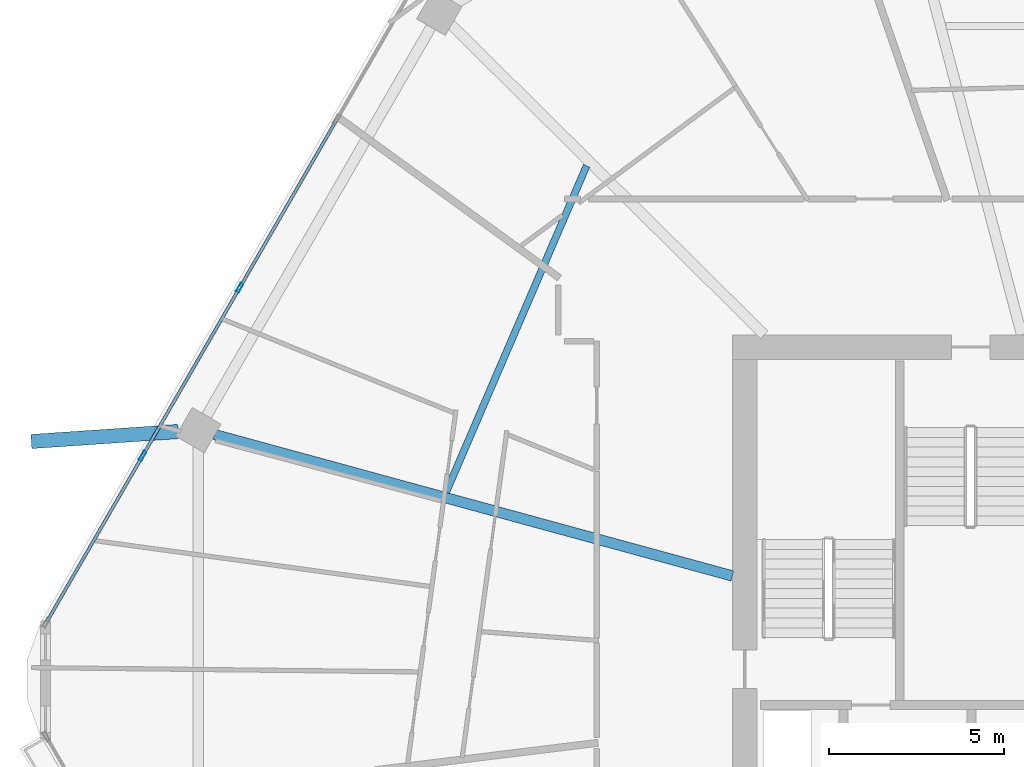
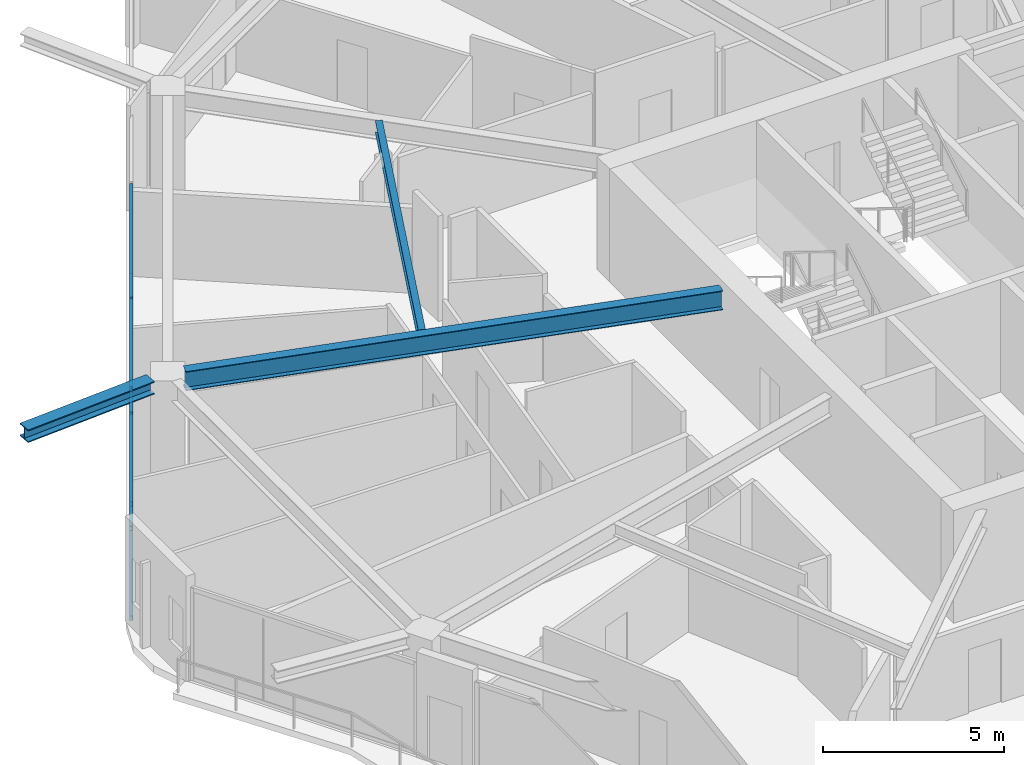
# One storey, part 10 of 26: 8 members, 3 beams, 1 element without a shape of its own.
"""IFC4 building model written with IfcOpenShell, lengths in metres."""

from ifc_helpers import new_model, si_unit, direction, frame, origin, origin_2d, place, context, subcontext, project, spatial, hollow_rectangle, i_section, extrude, material, material_profile, profile_set, type_object, element, aggregate, save


model = new_model("IFC4")

# Units and contexts
model_context = context("Model", 3, precision=1e-05, world=origin(), true_north=direction((0.0, 1.0)))
body_context = subcontext(model_context, "Body", "Model", "MODEL_VIEW")
ifc_project = project(units=[si_unit("LENGTHUNIT", "METRE"), si_unit("AREAUNIT", "SQUARE_METRE"), si_unit("VOLUMEUNIT", "CUBIC_METRE"), si_unit("PLANEANGLEUNIT", "RADIAN"), si_unit("MASSUNIT", "GRAM", prefix="KILO")], contexts=[model_context])

# Site, building, storey
site_placement = place(None, origin())
site = spatial("IfcSite", under=ifc_project, at=site_placement, CompositionType="ELEMENT")
building_placement = place(site_placement, origin())
building = spatial("IfcBuilding", under=site, at=building_placement, Name="Zuhravey Tower", CompositionType="ELEMENT")
storey_placement = place(building_placement, frame((0.0, 0.0, 203.60009765625)))
storey = spatial("IfcBuildingStorey", under=building, at=storey_placement, Name="L51", CompositionType="ELEMENT", Elevation=203.60009765625)

# Curtain wall, members
ifc_material_1 = material(Name="Thermally broken anodised aluminium", Category="aluminium")
curtain_wall_type = type_object("IfcCurtainWallType", Name="Zone 1-2 Residential Curtain Wall CW3", PredefinedType="NOTDEFINED", material=ifc_material_1)
curtain_wall_placement = place(storey_placement, origin())
curtain_wall = element("IfcCurtainWall", 1, at=curtain_wall_placement, inside=storey, type_object=curtain_wall_type, Name="L51 CW3 CW-L51-F3-1", PredefinedType="NOTDEFINED")
ifc_material_2 = material(Name="Anodised aluminium", Category="aluminium")
ifc_material_profile_1 = material_profile(ifc_material_2, hollow_rectangle(XDim=0.090087890625, YDim=0.284912109375, WallThickness=0.0048828125, at=origin_2d()), Name="ALU-RHS-90x285x5")
ifc_profile_set_1 = profile_set([ifc_material_profile_1], Name="Anodised aluminium")
member_type_1 = type_object("IfcMemberType", Name="Curtain-Wall Mullion 90x180", PredefinedType="MULLION", material=ifc_profile_set_1)
member_1_placement = place(storey_placement, frame((8.300537109375, 38.38916015625, 0.0), z_axis=(0.0, 0.0, 1.0), x_axis=(-0.866025138215, 0.500000459979, 0.0)))
member_1 = element("IfcMember", 2, at=member_1_placement, type_object=member_type_1, Name="CW3 mullion 2", PredefinedType="MULLION", context=body_context, shape_type="SweptSolid", body=[
    extrude(hollow_rectangle(XDim=0.090087890625, YDim=0.284912109375, WallThickness=0.0048828125, at=origin_2d()), origin(), (0.0, 0.0, 1.0), 3.121826171875),
])
member_2_placement = place(storey_placement, frame((11.07275390625, 43.190673828125, 0.0), z_axis=(0.0, 0.0, 1.0), x_axis=(-0.866025138215, 0.500000459979, 0.0)))
member_2 = element("IfcMember", 3, at=member_2_placement, type_object=member_type_1, Name="CW3 mullion 3", PredefinedType="MULLION", context=body_context, shape_type="SweptSolid", body=[
    extrude(hollow_rectangle(XDim=0.090087890625, YDim=0.284912109375, WallThickness=0.0048828125, at=origin_2d()), origin(), (0.0, 0.0, 1.0), 3.121826171875),
])
ifc_material_profile_2 = material_profile(ifc_material_2, hollow_rectangle(XDim=0.090087890625, YDim=0.14990234375, WallThickness=0.0048828125, at=origin_2d()), Name="ALU-RHS-90x150x5")
ifc_profile_set_2 = profile_set([ifc_material_profile_2], Name="Anodised aluminium")
member_type_2 = type_object("IfcMemberType", Name="Curtain-Wall Transom 90x150", PredefinedType="USERDEFINED", material=ifc_profile_set_2)
member_3_placement = place(storey_placement, frame((5.5732421875, 33.66552734375, 0.044921875), z_axis=(0.499993332629, 0.866029253159, 0.0), x_axis=(-0.866029253159, 0.499993332629, 0.0)))
member_3 = element("IfcMember", 4, at=member_3_placement, type_object=member_type_2, Name="CW3 transom 1.1", ObjectType="TRANSOM", PredefinedType="USERDEFINED", context=body_context, shape_type="SweptSolid", body=[
    extrude(hollow_rectangle(XDim=0.090087890625, YDim=0.14990234375, WallThickness=0.0048828125, at=origin_2d()), origin(), (0.0, 0.0, 1.0), 5.4091796875),
])
member_4_placement = place(storey_placement, frame((5.5732421875, 33.66552734375, 3.076904296875), z_axis=(0.499993332629, 0.866029253159, 0.0), x_axis=(-0.866029253159, 0.499993332629, 0.0)))
member_4 = element("IfcMember", 5, at=member_4_placement, type_object=member_type_2, Name="CW3 transom 1.2", ObjectType="TRANSOM", PredefinedType="USERDEFINED", context=body_context, shape_type="SweptSolid", body=[
    extrude(hollow_rectangle(XDim=0.090087890625, YDim=0.14990234375, WallThickness=0.0048828125, at=origin_2d()), origin(), (0.0, 0.0, 1.0), 5.4091796875),
])
member_5_placement = place(storey_placement, frame((8.322998046875, 38.427978515625, 0.044921875), z_axis=(0.49996138257, 0.86604769842, 0.0), x_axis=(-0.86604769842, 0.49996138257, 0.0)))
member_5 = element("IfcMember", 6, at=member_5_placement, type_object=member_type_2, Name="CW3 transom 2.1", ObjectType="TRANSOM", PredefinedType="USERDEFINED", context=body_context, shape_type="SweptSolid", body=[
    extrude(hollow_rectangle(XDim=0.090087890625, YDim=0.14990234375, WallThickness=0.0048828125, at=origin_2d()), origin(), (0.0, 0.0, 1.0), 5.45458984375),
])
member_6_placement = place(storey_placement, frame((8.322998046875, 38.427978515625, 3.076904296875), z_axis=(0.49996138257, 0.86604769842, 0.0), x_axis=(-0.86604769842, 0.49996138257, 0.0)))
member_6 = element("IfcMember", 7, at=member_6_placement, type_object=member_type_2, Name="CW3 transom 2.2", ObjectType="TRANSOM", PredefinedType="USERDEFINED", context=body_context, shape_type="SweptSolid", body=[
    extrude(hollow_rectangle(XDim=0.090087890625, YDim=0.14990234375, WallThickness=0.0048828125, at=origin_2d()), origin(), (0.0, 0.0, 1.0), 5.45458984375),
])
member_7_placement = place(storey_placement, frame((11.09521484375, 43.229736328125, 0.044921875), z_axis=(0.499980763544, 0.866036509673, 0.0), x_axis=(-0.866036509673, 0.499980763544, 0.0)))
member_7 = element("IfcMember", 8, at=member_7_placement, type_object=member_type_2, Name="CW3 transom 3.1", ObjectType="TRANSOM", PredefinedType="USERDEFINED", context=body_context, shape_type="SweptSolid", body=[
    extrude(hollow_rectangle(XDim=0.090087890625, YDim=0.14990234375, WallThickness=0.0048828125, at=origin_2d()), origin(), (0.0, 0.0, 1.0), 5.454345703125),
])
member_8_placement = place(storey_placement, frame((11.09521484375, 43.229736328125, 3.076904296875), z_axis=(0.499980763544, 0.866036509673, 0.0), x_axis=(-0.866036509673, 0.499980763544, 0.0)))
member_8 = element("IfcMember", 9, at=member_8_placement, type_object=member_type_2, Name="CW3 transom 3.2", ObjectType="TRANSOM", PredefinedType="USERDEFINED", context=body_context, shape_type="SweptSolid", body=[
    extrude(hollow_rectangle(XDim=0.090087890625, YDim=0.14990234375, WallThickness=0.0048828125, at=origin_2d()), origin(), (0.0, 0.0, 1.0), 5.454345703125),
])
aggregate(curtain_wall, [member_1, member_2, member_3, member_4, member_5, member_6, member_7, member_8])

# Beams
ifc_material_3 = material(Name="Steel SM460", Category="steel")
ifc_material_profile_3 = material_profile(ifc_material_3, i_section(OverallWidth=0.406982421875, OverallDepth=0.427978515625, WebThickness=0.02001953125, FlangeThickness=0.034912109375, at=origin_2d()), Name="H-428x407x20x35")
ifc_profile_set_3 = profile_set([ifc_material_profile_3], Name="Steel SM460")
beam_type_1 = type_object("IfcBeamType", Name="Exoskeleton Node Tie Beam H428x407", PredefinedType="BEAM", material=ifc_profile_set_3)
beam_1_placement = place(storey_placement, frame((9.317626953125, 39.08740234375, 3.3359375), z_axis=(-0.997703718422, -0.067729537476, 0.0), x_axis=(0.067729537476, -0.997703718422, 0.0)))
element("IfcBeam", 10, at=beam_1_placement, inside=storey, type_object=beam_type_1, Name="L51 Exoskeleton Node Tie NT1-06", PredefinedType="BEAM", context=body_context, shape_type="SweptSolid", body=[
    extrude(i_section(OverallWidth=0.406982421875, OverallDepth=0.427978515625, WebThickness=0.02001953125, FlangeThickness=0.034912109375, at=origin_2d()), origin(), (0.0, 0.0, 1.0), 4.203125),
])
ifc_material_4 = material(Name="Steel SM355", Category="steel")
ifc_material_profile_4 = material_profile(ifc_material_4, i_section(OverallWidth=0.300048828125, OverallDepth=0.64990234375, WebThickness=0.012939453125, FlangeThickness=0.02197265625, at=origin_2d()), Name="H-650x300x13x22")
ifc_profile_set_4 = profile_set([ifc_material_profile_4], Name="Steel SM355")
beam_type_2 = type_object("IfcBeamType", Name="Radial Primary Girder H650x300", PredefinedType="BEAM", material=ifc_profile_set_4)
beam_2_placement = place(storey_placement, frame((25.14697265625, 34.96240234375, 3.224853515625), z_axis=(-0.964701703464, 0.263345065139, 0.0), x_axis=(-0.263345065139, -0.964701703464, 0.0)))
element("IfcBeam", 11, at=beam_2_placement, inside=storey, type_object=beam_type_2, Name="L51 RG2 BM-L51-RAD-06", PredefinedType="BEAM", context=body_context, shape_type="SweptSolid", body=[
    extrude(i_section(OverallWidth=0.300048828125, OverallDepth=0.64990234375, WebThickness=0.012939453125, FlangeThickness=0.02197265625, at=origin_2d()), origin(), (0.0, 0.0, 1.0), 15.334716796875),
])
ifc_material_profile_5 = material_profile(ifc_material_4, i_section(OverallWidth=0.199951171875, OverallDepth=0.39990234375, WebThickness=0.008056640625, FlangeThickness=0.012939453125, at=origin_2d()), Name="H-400x200x8x13")
ifc_profile_set_5 = profile_set([ifc_material_profile_5], Name="Steel SM355")
beam_type_3 = type_object("IfcBeamType", Name="Secondary Floor Joist H400x200", PredefinedType="JOIST", material=ifc_profile_set_5)
beam_3_placement = place(storey_placement, frame((20.982421875, 46.676025390625, 3.349853515625), z_axis=(-0.395265853487, -0.918566766799, 0.0), x_axis=(0.918566766799, -0.395265853487, 0.0)))
element("IfcBeam", 12, at=beam_3_placement, inside=storey, type_object=beam_type_3, Name="L51 SJ2 BM-L51-SJ-05-1", PredefinedType="JOIST", context=body_context, shape_type="SweptSolid", body=[
    extrude(i_section(OverallWidth=0.199951171875, OverallDepth=0.39990234375, WebThickness=0.008056640625, FlangeThickness=0.012939453125, at=origin_2d()), origin(), (0.0, 0.0, 1.0), 10.150146484375),
])

save(model, "model.ifc")
